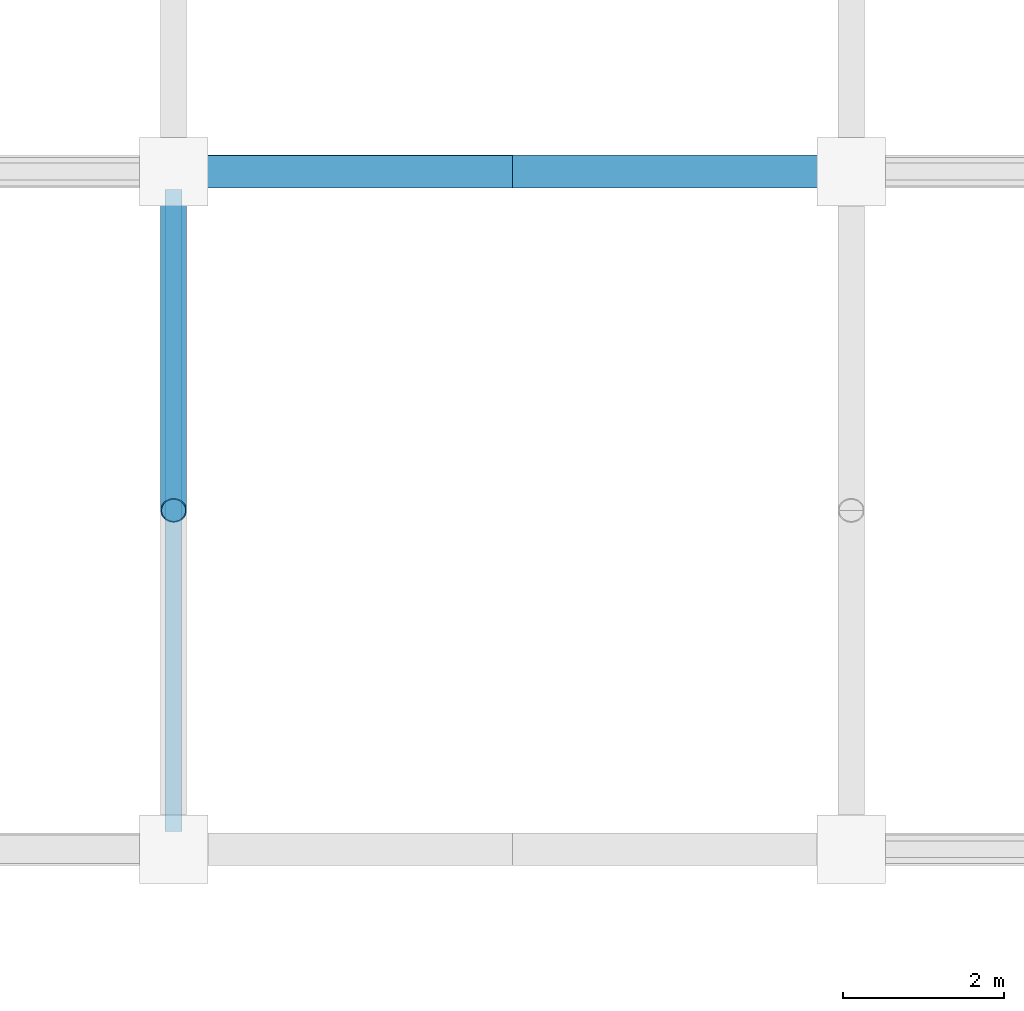
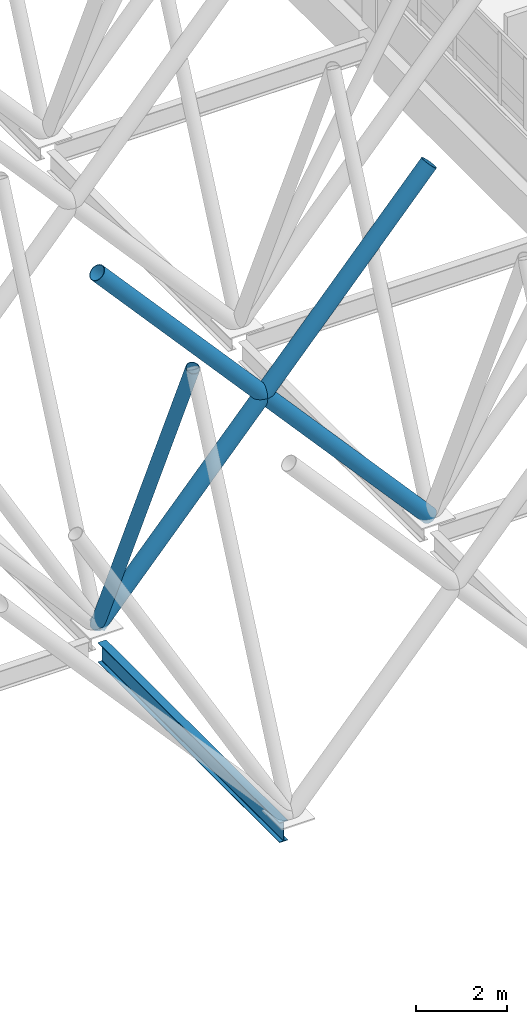
# One storey, part 8 of 107: 3 members, 1 beam.
"""IFC4 building model written with IfcOpenShell, lengths in metres."""

from ifc_helpers import new_model, si_unit, direction, frame, origin, origin_2d, place, context, subcontext, project, spatial, hollow_circle, i_section, extrude, material, material_profile, profile_set, type_object, element, save


model = new_model("IFC4")

# Units and contexts
model_context = context("Model", 3, precision=1e-05, world=origin(), true_north=direction((0.0, 1.0)))
body_context = subcontext(model_context, "Body", "Model", "MODEL_VIEW")
ifc_project = project(units=[si_unit("LENGTHUNIT", "METRE"), si_unit("AREAUNIT", "SQUARE_METRE"), si_unit("VOLUMEUNIT", "CUBIC_METRE"), si_unit("PLANEANGLEUNIT", "RADIAN"), si_unit("MASSUNIT", "GRAM", prefix="KILO")], contexts=[model_context])

# Site, building, storey
site_placement = place(None, origin())
site = spatial("IfcSite", under=ifc_project, at=site_placement, CompositionType="ELEMENT")
building_placement = place(site_placement, origin())
building = spatial("IfcBuilding", under=site, at=building_placement, Name="Vireocrest Preparatory School", CompositionType="ELEMENT")
storey_placement = place(building_placement, frame((0.0, 0.0, 13.199951171875)))
storey = spatial("IfcBuildingStorey", under=building, at=storey_placement, Name="L03", CompositionType="ELEMENT", Elevation=13.199951171875)

# Beam
ifc_material_1 = material(Name="Structural steel ASTM A992 Grade 50", Category="steel")
ifc_material_profile_1 = material_profile(ifc_material_1, i_section(OverallWidth=0.208984375, OverallDepth=0.532958984375, WebThickness=0.01025390625, FlangeThickness=0.015625, FilletRadius=0.014892578125, at=origin_2d()), Name="W21X62")
ifc_profile_set_1 = profile_set([ifc_material_profile_1], Name="Structural steel ASTM A992 Grade 50")
beam_type = type_object("IfcBeamType", Name="Court Tie Girder W21X62", PredefinedType="BEAM", material=ifc_profile_set_1)
beam_placement = place(storey_placement, frame((75.60009765625, 27.219970703125, -0.56640625), z_axis=(0.0, 1.0, 0.0), x_axis=(-1.0, 0.0, 0.0)))
element("IfcBeam", 1, at=beam_placement, inside=storey, type_object=beam_type, Name="Court Trunk Spine Girder SB5 W1 L03", PredefinedType="BEAM", context=body_context, shape_type="SweptSolid", body=[
    extrude(i_section(OverallWidth=0.208984375, OverallDepth=0.532958984375, WebThickness=0.01025390625, FlangeThickness=0.015625, FilletRadius=0.014892578125, at=origin_2d()), origin(), (0.0, 0.0, 1.0), 7.9599609375),
])

# Members
ifc_material_2 = material(Name="Painted white steel ASTM A500 Grade C", Category="steel")
ifc_material_profile_2 = material_profile(ifc_material_2, hollow_circle(Radius=0.161865234375, WallThickness=0.0126953125, at=origin_2d()), Name="HSS12.750X0.500")
ifc_profile_set_2 = profile_set([ifc_material_profile_2], Name="Painted white steel ASTM A500 Grade C")
member_type_1 = type_object("IfcMemberType", Name="White Steel Canopy Tie Strut HSS12.750X0.500", PredefinedType="USERDEFINED", material=ifc_profile_set_2)
member_placement = place(storey_placement, frame((75.60009765625, 35.39990234375, -0.0048828125), z_axis=(0.0, -0.407216567456, 0.913331630455), x_axis=(1.0, 0.0, 0.0)))
element("IfcMember", 2, at=member_placement, inside=storey, type_object=member_type_1, Name="Longitudinal V-Strut VS2 W2-S", ObjectType="STRUT", PredefinedType="USERDEFINED", context=body_context, shape_type="SweptSolid", body=[
    extrude(hollow_circle(Radius=0.161865234375, WallThickness=0.0126953125, at=origin_2d()), origin(), (0.0, 0.0, 1.0), 10.313720703125),
])
ifc_material_profile_3 = material_profile(ifc_material_2, hollow_circle(Radius=0.203125, WallThickness=0.0126953125, at=origin_2d()), Name="HSS16.000X0.500")
ifc_profile_set_3 = profile_set([ifc_material_profile_3], Name="Painted white steel ASTM A500 Grade C")
member_type_2 = type_object("IfcMemberType", Name="White Steel V-Column Branch HSS16.000X0.500", PredefinedType="USERDEFINED", material=ifc_profile_set_3)
for number, where, z_axis, x_axis, name in (
    (3, (75.60009765625, 35.39990234375, -0.010009765625), (0.665138630213, 0.0, 0.746719895676), (0.0, 1.0, 0.0), "White Steel V-Column Branch VC3 W2-A2"),
    (4, (84.0, 35.39990234375, -0.010009765625), (-0.665138630213, 0.0, 0.746719895676), (0.0, -1.0, 0.0), "White Steel V-Column Branch VC3 E2-A1"),
):
    element("IfcMember", number, at=place(storey_placement, frame(where, z_axis=z_axis, x_axis=x_axis)), inside=storey, type_object=member_type_2, Name=name, ObjectType="STRUT", PredefinedType="USERDEFINED", context=body_context, shape_type="SweptSolid", body=[
        extrude(hollow_circle(Radius=0.203125, WallThickness=0.0126953125, at=origin_2d()), origin(), (0.0, 0.0, 1.0), 12.62890625),
    ])

save(model, "model.ifc")
